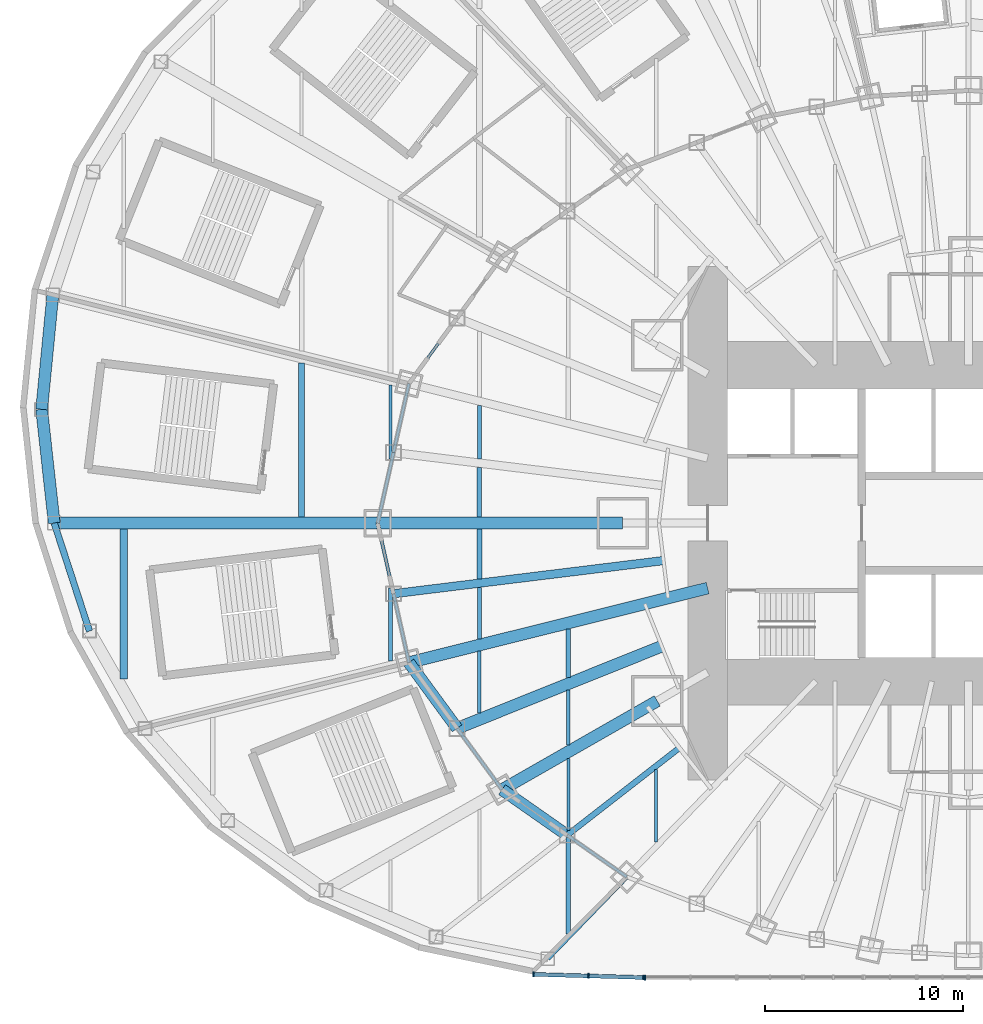
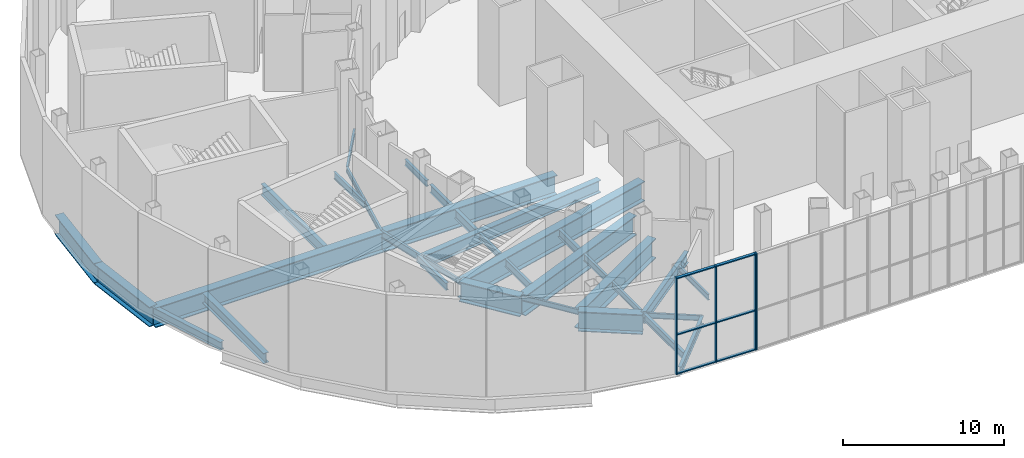
# One storey, part 2 of 73: 34 beams, 10 members, 2 elements without a shape of their own.
"""IFC4 building model written with IfcOpenShell, lengths in metres."""

from ifc_helpers import new_model, si_unit, direction, frame, origin, origin_2d, place, context, subcontext, project, spatial, rectangle, i_section, extrude, material, material_profile, profile_set, type_object, element, aggregate, save


model = new_model("IFC4")

# Units and contexts
model_context = context("Model", 3, precision=1e-05, world=origin(), true_north=direction((0.0, 1.0)))
body_context = subcontext(model_context, "Body", "Model", "MODEL_VIEW")
ifc_project = project(units=[si_unit("LENGTHUNIT", "METRE"), si_unit("AREAUNIT", "SQUARE_METRE"), si_unit("VOLUMEUNIT", "CUBIC_METRE"), si_unit("PLANEANGLEUNIT", "RADIAN"), si_unit("MASSUNIT", "GRAM", prefix="KILO")], contexts=[model_context])

# Site, building, storey
site_placement = place(None, origin())
site = spatial("IfcSite", under=ifc_project, at=site_placement, CompositionType="ELEMENT")
building_placement = place(site_placement, origin())
building = spatial("IfcBuilding", under=site, at=building_placement, Name="Lantaw Convention Tower", CompositionType="ELEMENT")
storey_placement = place(building_placement, frame((0.0, 0.0, 14.5)))
storey = spatial("IfcBuildingStorey", under=building, at=storey_placement, Name="L02", CompositionType="ELEMENT", Elevation=14.5)

# Beams
ifc_material_1 = material(Name="Steel ASTM A572 Grade 50", Category="steel")
ifc_material_profile_1 = material_profile(ifc_material_1, i_section(OverallWidth=0.60009765625, OverallDepth=1.5, WebThickness=0.02490234375, FlangeThickness=0.06005859375, at=origin_2d()), Name="PG1500X600X25X60")
ifc_profile_set_1 = profile_set([ifc_material_profile_1], Name="Steel ASTM A572 Grade 50")
beam_type_1 = type_object("IfcBeamType", Name="Beam E PG1500X600X25X60", PredefinedType="SPANDREL", material=ifc_profile_set_1)
beam_1_placement = place(storey_placement, frame((-28.31787109375, -7.060302734375, -0.949951171875), z_axis=(0.591255937291, -0.806483984105, 0.0), x_axis=(0.806483984105, 0.591255937291, 0.0)))
element("IfcBeam", 1, at=beam_1_placement, inside=storey, type_object=beam_type_1, Name="Edge beam 14", PredefinedType="SPANDREL", context=body_context, shape_type="SweptSolid", body=[
    extrude(i_section(OverallWidth=0.60009765625, OverallDepth=1.5, WebThickness=0.02490234375, FlangeThickness=0.06005859375, at=origin_2d()), origin(), (0.0, 0.0, 1.0), 4.126708984375),
])
beam_2_placement = place(storey_placement, frame((-23.60498046875, -13.488525390625, -0.949951171875), z_axis=(0.819442856133, -0.573160889744, 0.0), x_axis=(0.573160889744, 0.819442856133, 0.0)))
element("IfcBeam", 2, at=beam_2_placement, inside=storey, type_object=beam_type_1, Name="Edge beam 15", PredefinedType="SPANDREL", context=body_context, shape_type="SweptSolid", body=[
    extrude(i_section(OverallWidth=0.60009765625, OverallDepth=1.5, WebThickness=0.02490234375, FlangeThickness=0.06005859375, at=origin_2d()), origin(), (0.0, 0.0, 1.0), 4.022705078125),
])
beam_3_placement = place(storey_placement, frame((-46.342529296875, 11.554443359375, -0.949951171875), z_axis=(-0.097112121047, -0.995273447825, 0.0), x_axis=(0.995273447825, -0.097112121047, 0.0)))
element("IfcBeam", 3, at=beam_3_placement, inside=storey, type_object=beam_type_1, Name="Podium edge beam R11", PredefinedType="SPANDREL", context=body_context, shape_type="SweptSolid", body=[
    extrude(i_section(OverallWidth=0.60009765625, OverallDepth=1.5, WebThickness=0.02490234375, FlangeThickness=0.06005859375, at=origin_2d()), origin(), (0.0, 0.0, 1.0), 5.822509765625),
])
beam_4_placement = place(storey_placement, frame((-46.907958984375, 5.759521484375, -0.949951171875), z_axis=(0.109673093737, -0.993967712006, 0.0), x_axis=(0.993967712006, 0.109673093737, 0.0)))
element("IfcBeam", 4, at=beam_4_placement, inside=storey, type_object=beam_type_1, Name="Podium edge beam B11", PredefinedType="SPANDREL", context=body_context, shape_type="SweptSolid", body=[
    extrude(i_section(OverallWidth=0.60009765625, OverallDepth=1.5, WebThickness=0.02490234375, FlangeThickness=0.06005859375, at=origin_2d()), origin(), (0.0, 0.0, 1.0), 5.79443359375),
])
ifc_material_2 = material(Name="Steel ASTM A992", Category="steel")
ifc_material_profile_2 = material_profile(ifc_material_2, i_section(OverallWidth=0.140380859375, OverallDepth=0.40380859375, WebThickness=0.007080078125, FlangeThickness=0.01123046875, FilletRadius=0.01025390625, at=origin_2d()), Name="W16X31")
ifc_profile_set_2 = profile_set([ifc_material_profile_2], Name="Steel ASTM A992")
beam_type_2 = type_object("IfcBeamType", Name="Beam E W16X31", PredefinedType="SPANDREL", material=ifc_profile_set_2)
beam_5_placement = place(storey_placement, frame((-25.8779296875, 10.388427734375, -0.40185546875), z_axis=(-0.591255937291, -0.806483984105, 0.0), x_axis=(0.806483984105, -0.591255937291, 0.0)))
element("IfcBeam", 5, at=beam_5_placement, inside=storey, type_object=beam_type_2, Name="Edge beam 11", PredefinedType="SPANDREL", context=body_context, shape_type="SweptSolid", body=[
    extrude(i_section(OverallWidth=0.140380859375, OverallDepth=0.40380859375, WebThickness=0.007080078125, FlangeThickness=0.01123046875, FilletRadius=0.01025390625, at=origin_2d()), origin(), (0.0, 0.0, 1.0), 4.126708984375),
])
for number, where, z_axis, x_axis, name in (
    (6, (-28.31787109375, 7.060302734375, -0.40185546875), (-0.218673326171, -0.97579812278, 0.0), (0.97579812278, -0.218673326171, 0.0), "Edge beam 12"),
    (7, (-29.099365234375, -3.572998046875, -0.40185546875), (0.218673326171, -0.97579812278, 0.0), (0.97579812278, 0.218673326171, 0.0), "Edge beam 13"),
):
    element("IfcBeam", number, at=place(storey_placement, frame(where, z_axis=z_axis, x_axis=x_axis)), inside=storey, type_object=beam_type_2, Name=name, PredefinedType="SPANDREL", context=body_context, shape_type="SweptSolid", body=[
        extrude(i_section(OverallWidth=0.140380859375, OverallDepth=0.40380859375, WebThickness=0.007080078125, FlangeThickness=0.01123046875, FilletRadius=0.01025390625, at=origin_2d()), origin(), (0.0, 0.0, 1.0), 3.57373046875),
    ])
beam_6_placement = place(storey_placement, frame((-25.8779296875, -10.388427734375, -0.40185546875), z_axis=(0.591286566758, -0.806461527893, 0.0), x_axis=(0.806461527893, 0.591286566758, 0.0)))
element("IfcBeam", 8, at=beam_6_placement, inside=storey, type_object=beam_type_2, Name="Edge beam 14", PredefinedType="SPANDREL", context=body_context, shape_type="SweptSolid", body=[
    extrude(i_section(OverallWidth=0.140380859375, OverallDepth=0.40380859375, WebThickness=0.007080078125, FlangeThickness=0.01123046875, FilletRadius=0.01025390625, at=origin_2d()), origin(), (0.0, 0.0, 1.0), 3.843994140625),
])
beam_7_placement = place(storey_placement, frame((-20.30859375, -15.794189453125, -0.40185546875), z_axis=(0.819409395821, -0.573208724672, 0.0), x_axis=(0.573208724672, 0.819409395821, 0.0)))
element("IfcBeam", 9, at=beam_7_placement, inside=storey, type_object=beam_type_2, Name="Edge beam 15", PredefinedType="SPANDREL", context=body_context, shape_type="SweptSolid", body=[
    extrude(i_section(OverallWidth=0.140380859375, OverallDepth=0.40380859375, WebThickness=0.007080078125, FlangeThickness=0.01123046875, FilletRadius=0.01025390625, at=origin_2d()), origin(), (0.0, 0.0, 1.0), 3.682861328125),
])
ifc_material_profile_3 = material_profile(ifc_material_2, i_section(OverallWidth=0.15234375, OverallDepth=0.449462890625, WebThickness=0.007568359375, FlangeThickness=0.0107421875, FilletRadius=0.01025390625, at=origin_2d()), Name="W18X35")
ifc_profile_set_3 = profile_set([ifc_material_profile_3], Name="Steel ASTM A992")
beam_type_3 = type_object("IfcBeamType", Name="Beam E W18X35", PredefinedType="SPANDREL", material=ifc_profile_set_3)
beam_8_placement = place(storey_placement, frame((-29.099365234375, 3.572998046875, -0.4248046875), z_axis=(-0.218631550323, -0.975807483679, 0.0), x_axis=(0.975807483679, -0.218631550323, 0.0)))
element("IfcBeam", 10, at=beam_8_placement, inside=storey, type_object=beam_type_3, Name="Edge beam 12", PredefinedType="SPANDREL", context=body_context, shape_type="SweptSolid", body=[
    extrude(i_section(OverallWidth=0.15234375, OverallDepth=0.449462890625, WebThickness=0.007568359375, FlangeThickness=0.0107421875, FilletRadius=0.01025390625, at=origin_2d()), origin(), (0.0, 0.0, 1.0), 3.66162109375),
])
ifc_material_profile_4 = material_profile(ifc_material_2, i_section(OverallWidth=0.165771484375, OverallDepth=0.5283203125, WebThickness=0.009765625, FlangeThickness=0.013671875, FilletRadius=0.012939453125, at=origin_2d()), Name="W21X50")
ifc_profile_set_4 = profile_set([ifc_material_profile_4], Name="Steel ASTM A992")
beam_type_4 = type_object("IfcBeamType", Name="Beam E W21X50", PredefinedType="SPANDREL", material=ifc_profile_set_4)
beam_9_placement = place(storey_placement, frame((-29.89990234375, 0.0, -0.464111328125), z_axis=(0.218631550323, -0.975807483679, 0.0), x_axis=(0.975807483679, 0.218631550323, 0.0)))
element("IfcBeam", 11, at=beam_9_placement, inside=storey, type_object=beam_type_4, Name="Edge beam 13", PredefinedType="SPANDREL", context=body_context, shape_type="SweptSolid", body=[
    extrude(i_section(OverallWidth=0.165771484375, OverallDepth=0.5283203125, WebThickness=0.009765625, FlangeThickness=0.013671875, FilletRadius=0.012939453125, at=origin_2d()), origin(), (0.0, 0.0, 1.0), 3.66162109375),
])
ifc_material_profile_5 = material_profile(ifc_material_2, i_section(OverallWidth=0.3251953125, OverallDepth=0.612060546875, WebThickness=0.0126953125, FlangeThickness=0.01904296875, FilletRadius=0.0126953125, at=origin_2d()), Name="W24X104")
ifc_profile_set_5 = profile_set([ifc_material_profile_5], Name="Steel ASTM A992")
beam_type_5 = type_object("IfcBeamType", Name="Beam E W24X104", PredefinedType="SPANDREL", material=ifc_profile_set_5)
beam_10_placement = place(storey_placement, frame((-46.2724609375, 0.0, -0.506103515625), z_axis=(0.310448009473, -0.950590360468, 0.0), x_axis=(0.950590360468, 0.310448009473, 0.0)))
element("IfcBeam", 12, at=beam_10_placement, inside=storey, type_object=beam_type_5, Name="Podium edge beam R12", PredefinedType="SPANDREL", context=body_context, shape_type="SweptSolid", body=[
    extrude(i_section(OverallWidth=0.3251953125, OverallDepth=0.612060546875, WebThickness=0.0126953125, FlangeThickness=0.01904296875, FilletRadius=0.0126953125, at=origin_2d()), origin(), (0.0, 0.0, 1.0), 5.746337890625),
])
ifc_material_profile_6 = material_profile(ifc_material_1, i_section(OverallWidth=0.60009765625, OverallDepth=1.5, WebThickness=0.02490234375, FlangeThickness=0.06005859375, at=origin_2d()), Name="PG1500X600X25X60")
ifc_profile_set_6 = profile_set([ifc_material_profile_6], Name="Steel ASTM A572 Grade 50")
beam_type_6 = type_object("IfcBeamType", Name="Beam G PG1500X600X25X60", PredefinedType="BEAM", material=ifc_profile_set_6)
beam_11_placement = place(storey_placement, frame((-17.5, 0.0, -0.949951171875), z_axis=(-1.0, 0.0, 0.0), x_axis=(0.0, -1.0, 0.0)))
element("IfcBeam", 13, at=beam_11_placement, inside=storey, type_object=beam_type_6, Name="Floor girder on ray 13", PredefinedType="BEAM", context=body_context, shape_type="SweptSolid", body=[
    extrude(i_section(OverallWidth=0.60009765625, OverallDepth=1.5, WebThickness=0.02490234375, FlangeThickness=0.06005859375, at=origin_2d()), origin(), (0.0, 0.0, 1.0), 12.39990234375),
])
beam_12_placement = place(storey_placement, frame((-13.199951171875, -3.291015625, -0.949951171875), z_axis=(-0.970296233567, -0.241919860957, 0.0), x_axis=(0.241919860957, -0.970296233567, 0.0)))
element("IfcBeam", 14, at=beam_12_placement, inside=storey, type_object=beam_type_6, Name="Floor girder on ray 14", PredefinedType="BEAM", context=body_context, shape_type="SweptSolid", body=[
    extrude(i_section(OverallWidth=0.60009765625, OverallDepth=1.5, WebThickness=0.02490234375, FlangeThickness=0.06005859375, at=origin_2d()), origin(), (0.0, 0.0, 1.0), 15.580810546875),
])
beam_13_placement = place(storey_placement, frame((-15.52001953125, -6.23046875, -0.949951171875), z_axis=(-0.928018900171, -0.372533113864, 0.0), x_axis=(0.372533113864, -0.928018900171, 0.0)))
element("IfcBeam", 15, at=beam_13_placement, inside=storey, type_object=beam_type_6, Name="Floor girder on bisector 14", PredefinedType="BEAM", context=body_context, shape_type="SweptSolid", body=[
    extrude(i_section(OverallWidth=0.60009765625, OverallDepth=1.5, WebThickness=0.02490234375, FlangeThickness=0.06005859375, at=origin_2d()), origin(), (0.0, 0.0, 1.0), 11.161376953125),
])
beam_14_placement = place(storey_placement, frame((-15.75, -9.0, -0.949951171875), z_axis=(-0.868244802791, -0.496136032179, 0.0), x_axis=(0.496136032179, -0.868244802791, 0.0)))
element("IfcBeam", 16, at=beam_14_placement, inside=storey, type_object=beam_type_6, Name="Floor girder on ray 15", PredefinedType="BEAM", context=body_context, shape_type="SweptSolid", body=[
    extrude(i_section(OverallWidth=0.60009765625, OverallDepth=1.5, WebThickness=0.02490234375, FlangeThickness=0.06005859375, at=origin_2d()), origin(), (0.0, 0.0, 1.0), 9.046875),
])
ifc_material_profile_7 = material_profile(ifc_material_2, i_section(OverallWidth=0.2919921875, OverallDepth=0.845703125, WebThickness=0.015380859375, FlangeThickness=0.0244140625, FilletRadius=0.01513671875, at=origin_2d()), Name="W33X141")
ifc_profile_set_7 = profile_set([ifc_material_profile_7], Name="Steel ASTM A992")
beam_type_7 = type_object("IfcBeamType", Name="Beam G W33X141", PredefinedType="BEAM", material=ifc_profile_set_7)
beam_15_placement = place(storey_placement, frame((-14.628173828125, -11.37646484375, -0.622802734375), z_axis=(-0.789377792374, -0.613907729961, 0.0), x_axis=(0.613907729961, -0.789377792374, 0.0)))
element("IfcBeam", 17, at=beam_15_placement, inside=storey, type_object=beam_type_7, Name="Floor girder on bisector 15", PredefinedType="BEAM", context=body_context, shape_type="SweptSolid", body=[
    extrude(i_section(OverallWidth=0.2919921875, OverallDepth=0.845703125, WebThickness=0.015380859375, FlangeThickness=0.0244140625, FilletRadius=0.01513671875, at=origin_2d()), origin(), (0.0, 0.0, 1.0), 7.196044921875),
])
ifc_material_profile_8 = material_profile(ifc_material_2, i_section(OverallWidth=0.424072265625, OverallDepth=0.947509765625, WebThickness=0.02392578125, FlangeThickness=0.042724609375, FilletRadius=0.012451171875, at=origin_2d()), Name="W36X302")
ifc_profile_set_8 = profile_set([ifc_material_profile_8], Name="Steel ASTM A992")
beam_type_8 = type_object("IfcBeamType", Name="Beam G W36X302", PredefinedType="BEAM", material=ifc_profile_set_8)
beam_16_placement = place(storey_placement, frame((-15.433349609375, -1.89501953125, -0.673828125), z_axis=(-0.99254612715, -0.121869542874, 0.0), x_axis=(0.121869542874, -0.99254612715, 0.0)))
element("IfcBeam", 18, at=beam_16_placement, inside=storey, type_object=beam_type_8, Name="Floor girder on bisector 13", PredefinedType="BEAM", context=body_context, shape_type="SweptSolid", body=[
    extrude(i_section(OverallWidth=0.424072265625, OverallDepth=0.947509765625, WebThickness=0.02392578125, FlangeThickness=0.042724609375, FilletRadius=0.012451171875, at=origin_2d()), origin(), (0.0, 0.0, 1.0), 13.7685546875),
])
ifc_material_profile_9 = material_profile(ifc_material_2, i_section(OverallWidth=0.15234375, OverallDepth=0.449462890625, WebThickness=0.007568359375, FlangeThickness=0.0107421875, FilletRadius=0.01025390625, at=origin_2d()), Name="W18X35")
ifc_profile_set_9 = profile_set([ifc_material_profile_9], Name="Steel ASTM A992")
beam_type_9 = type_object("IfcBeamType", Name="Beam J W18X35", PredefinedType="JOIST", material=ifc_profile_set_9)
beam_17_placement = place(storey_placement, frame((-20.25, -15.5634765625, -0.4248046875), z_axis=(0.0, 1.0, 0.0), x_axis=(-1.0, 0.0, 0.0)))
element("IfcBeam", 19, at=beam_17_placement, inside=storey, type_object=beam_type_9, Name="Floor joist", PredefinedType="JOIST", context=body_context, shape_type="SweptSolid", body=[
    extrude(i_section(OverallWidth=0.15234375, OverallDepth=0.449462890625, WebThickness=0.007568359375, FlangeThickness=0.0107421875, FilletRadius=0.01025390625, at=origin_2d()), origin(), (0.0, 0.0, 1.0), 3.646484375),
])
beam_18_placement = place(storey_placement, frame((-15.800048828125, -16.151123046875, -0.4248046875), z_axis=(0.0, 1.0, 0.0), x_axis=(-1.0, 0.0, 0.0)))
element("IfcBeam", 20, at=beam_18_placement, inside=storey, type_object=beam_type_9, Name="Floor joist", PredefinedType="JOIST", context=body_context, shape_type="SweptSolid", body=[
    extrude(i_section(OverallWidth=0.15234375, OverallDepth=0.449462890625, WebThickness=0.007568359375, FlangeThickness=0.0107421875, FilletRadius=0.01025390625, at=origin_2d()), origin(), (0.0, 0.0, 1.0), 3.67822265625),
])
ifc_material_profile_10 = material_profile(ifc_material_2, i_section(OverallWidth=0.1904296875, OverallDepth=0.457275390625, WebThickness=0.009033203125, FlangeThickness=0.014404296875, FilletRadius=0.01025390625, at=origin_2d()), Name="W18X50")
ifc_profile_set_10 = profile_set([ifc_material_profile_10], Name="Steel ASTM A992")
beam_type_10 = type_object("IfcBeamType", Name="Beam J W18X50", PredefinedType="JOIST", material=ifc_profile_set_10)
beam_19_placement = place(storey_placement, frame((-24.75, -5.861572265625, -0.4287109375), z_axis=(0.0, 1.0, 0.0), x_axis=(-1.0, 0.0, 0.0)))
element("IfcBeam", 21, at=beam_19_placement, inside=storey, type_object=beam_type_10, Name="Floor joist", PredefinedType="JOIST", context=body_context, shape_type="SweptSolid", body=[
    extrude(i_section(OverallWidth=0.1904296875, OverallDepth=0.457275390625, WebThickness=0.009033203125, FlangeThickness=0.014404296875, FilletRadius=0.01025390625, at=origin_2d()), origin(), (0.0, 0.0, 1.0), 2.60888671875),
])
beam_20_placement = place(storey_placement, frame((-24.75, 3.251220703125, -0.4287109375), z_axis=(0.0, 1.0, 0.0), x_axis=(-1.0, 0.0, 0.0)))
element("IfcBeam", 22, at=beam_20_placement, inside=storey, type_object=beam_type_10, Name="Floor joist", PredefinedType="JOIST", context=body_context, shape_type="SweptSolid", body=[
    extrude(i_section(OverallWidth=0.1904296875, OverallDepth=0.457275390625, WebThickness=0.009033203125, FlangeThickness=0.014404296875, FilletRadius=0.01025390625, at=origin_2d()), origin(), (0.0, 0.0, 1.0), 2.71142578125),
])
ifc_material_profile_11 = material_profile(ifc_material_2, i_section(OverallWidth=0.1650390625, OverallDepth=0.52587890625, WebThickness=0.0087890625, FlangeThickness=0.011474609375, FilletRadius=0.0126953125, at=origin_2d()), Name="W21X44")
ifc_profile_set_11 = profile_set([ifc_material_profile_11], Name="Steel ASTM A992")
beam_type_11 = type_object("IfcBeamType", Name="Beam J W21X44", PredefinedType="JOIST", material=ifc_profile_set_11)
beam_21_placement = place(storey_placement, frame((-29.25, 3.2490234375, -0.462890625), z_axis=(0.0, 1.0, 0.0), x_axis=(-1.0, 0.0, 0.0)))
element("IfcBeam", 23, at=beam_21_placement, inside=storey, type_object=beam_type_11, Name="Floor joist", PredefinedType="JOIST", context=body_context, shape_type="SweptSolid", body=[
    extrude(i_section(OverallWidth=0.1650390625, OverallDepth=0.52587890625, WebThickness=0.0087890625, FlangeThickness=0.011474609375, FilletRadius=0.0126953125, at=origin_2d()), origin(), (0.0, 0.0, 1.0), 3.734619140625),
])
beam_22_placement = place(storey_placement, frame((-20.25, -11.225830078125, -0.462890625), z_axis=(0.0, 1.0, 0.0), x_axis=(-1.0, 0.0, 0.0)))
element("IfcBeam", 24, at=beam_22_placement, inside=storey, type_object=beam_type_11, Name="Floor joist", PredefinedType="JOIST", context=body_context, shape_type="SweptSolid", body=[
    extrude(i_section(OverallWidth=0.1650390625, OverallDepth=0.52587890625, WebThickness=0.0087890625, FlangeThickness=0.011474609375, FilletRadius=0.0126953125, at=origin_2d()), origin(), (0.0, 0.0, 1.0), 2.7734375),
])
ifc_material_profile_12 = material_profile(ifc_material_2, i_section(OverallWidth=0.209228515625, OverallDepth=0.533447265625, WebThickness=0.01025390625, FlangeThickness=0.015625, FilletRadius=0.012939453125, at=origin_2d()), Name="W21X62")
ifc_profile_set_12 = profile_set([ifc_material_profile_12], Name="Steel ASTM A992")
beam_type_12 = type_object("IfcBeamType", Name="Beam J W21X62", PredefinedType="JOIST", material=ifc_profile_set_12)
beam_23_placement = place(storey_placement, frame((-29.25, -6.983642578125, -0.466796875), z_axis=(0.0, 1.0, 0.0), x_axis=(-1.0, 0.0, 0.0)))
element("IfcBeam", 25, at=beam_23_placement, inside=storey, type_object=beam_type_12, Name="Floor joist", PredefinedType="JOIST", context=body_context, shape_type="SweptSolid", body=[
    extrude(i_section(OverallWidth=0.209228515625, OverallDepth=0.533447265625, WebThickness=0.01025390625, FlangeThickness=0.015625, FilletRadius=0.012939453125, at=origin_2d()), origin(), (0.0, 0.0, 1.0), 3.703857421875),
])
ifc_material_profile_13 = material_profile(ifc_material_2, i_section(OverallWidth=0.2099609375, OverallDepth=0.535888671875, WebThickness=0.010986328125, FlangeThickness=0.017333984375, FilletRadius=0.012939453125, at=origin_2d()), Name="W21X68")
ifc_profile_set_13 = profile_set([ifc_material_profile_13], Name="Steel ASTM A992")
beam_type_13 = type_object("IfcBeamType", Name="Beam J W21X68", PredefinedType="JOIST", material=ifc_profile_set_13)
beam_24_placement = place(storey_placement, frame((-20.25, -20.805419921875, -0.468017578125), z_axis=(0.0, 1.0, 0.0), x_axis=(-1.0, 0.0, 0.0)))
element("IfcBeam", 26, at=beam_24_placement, inside=storey, type_object=beam_type_13, Name="Floor joist", PredefinedType="JOIST", context=body_context, shape_type="SweptSolid", body=[
    extrude(i_section(OverallWidth=0.2099609375, OverallDepth=0.535888671875, WebThickness=0.010986328125, FlangeThickness=0.017333984375, FilletRadius=0.012939453125, at=origin_2d()), origin(), (0.0, 0.0, 1.0), 4.884521484375),
])
ifc_material_profile_14 = material_profile(ifc_material_2, i_section(OverallWidth=0.177978515625, OverallDepth=0.599365234375, WebThickness=0.010009765625, FlangeThickness=0.012939453125, FilletRadius=0.012939453125, at=origin_2d()), Name="W24X55")
ifc_profile_set_14 = profile_set([ifc_material_profile_14], Name="Steel ASTM A992")
beam_type_14 = type_object("IfcBeamType", Name="Beam J W24X55", PredefinedType="JOIST", material=ifc_profile_set_14)
beam_25_placement = place(storey_placement, frame((-24.75, -9.6123046875, -0.499755859375), z_axis=(0.0, 1.0, 0.0), x_axis=(-1.0, 0.0, 0.0)))
element("IfcBeam", 27, at=beam_25_placement, inside=storey, type_object=beam_type_14, Name="Floor joist", PredefinedType="JOIST", context=body_context, shape_type="SweptSolid", body=[
    extrude(i_section(OverallWidth=0.177978515625, OverallDepth=0.599365234375, WebThickness=0.010009765625, FlangeThickness=0.012939453125, FilletRadius=0.012939453125, at=origin_2d()), origin(), (0.0, 0.0, 1.0), 3.13232421875),
])
ifc_material_profile_15 = material_profile(ifc_material_2, i_section(OverallWidth=0.227783203125, OverallDepth=0.60205078125, WebThickness=0.010498046875, FlangeThickness=0.014892578125, FilletRadius=0.012939453125, at=origin_2d()), Name="W24X68")
ifc_profile_set_15 = profile_set([ifc_material_profile_15], Name="Steel ASTM A992")
beam_type_15 = type_object("IfcBeamType", Name="Beam J W24X68", PredefinedType="JOIST", material=ifc_profile_set_15)
beam_26_placement = place(storey_placement, frame((-20.25, -7.805908203125, -0.5009765625), z_axis=(0.0, 1.0, 0.0), x_axis=(-1.0, 0.0, 0.0)))
element("IfcBeam", 28, at=beam_26_placement, inside=storey, type_object=beam_type_15, Name="Floor joist", PredefinedType="JOIST", context=body_context, shape_type="SweptSolid", body=[
    extrude(i_section(OverallWidth=0.227783203125, OverallDepth=0.60205078125, WebThickness=0.010498046875, FlangeThickness=0.014892578125, FilletRadius=0.012939453125, at=origin_2d()), origin(), (0.0, 0.0, 1.0), 2.44775390625),
])
ifc_material_profile_16 = material_profile(ifc_material_2, i_section(OverallWidth=0.22900390625, OverallDepth=0.612060546875, WebThickness=0.011962890625, FlangeThickness=0.01953125, FilletRadius=0.0126953125, at=origin_2d()), Name="W24X84")
ifc_profile_set_16 = profile_set([ifc_material_profile_16], Name="Steel ASTM A992")
beam_type_16 = type_object("IfcBeamType", Name="Beam J W24X84", PredefinedType="JOIST", material=ifc_profile_set_16)
beam_27_placement = place(storey_placement, frame((-24.75, 0.300048828125, -0.506103515625), z_axis=(0.0, 1.0, 0.0), x_axis=(-1.0, 0.0, 0.0)))
element("IfcBeam", 29, at=beam_27_placement, inside=storey, type_object=beam_type_16, Name="Floor joist", PredefinedType="JOIST", context=body_context, shape_type="SweptSolid", body=[
    extrude(i_section(OverallWidth=0.22900390625, OverallDepth=0.612060546875, WebThickness=0.011962890625, FlangeThickness=0.01953125, FilletRadius=0.0126953125, at=origin_2d()), origin(), (0.0, 0.0, 1.0), 2.5263671875),
])
ifc_material_profile_17 = material_profile(ifc_material_2, i_section(OverallWidth=0.25390625, OverallDepth=0.683349609375, WebThickness=0.012451171875, FlangeThickness=0.01904296875, FilletRadius=0.01513671875, at=origin_2d()), Name="W27X94")
ifc_profile_set_17 = profile_set([ifc_material_profile_17], Name="Steel ASTM A992")
beam_type_17 = type_object("IfcBeamType", Name="Beam J W27X94", PredefinedType="JOIST", material=ifc_profile_set_17)
beam_28_placement = place(storey_placement, frame((-24.75, -2.8251953125, -0.541748046875), z_axis=(0.0, 1.0, 0.0), x_axis=(-1.0, 0.0, 0.0)))
element("IfcBeam", 30, at=beam_28_placement, inside=storey, type_object=beam_type_17, Name="Floor joist", PredefinedType="JOIST", context=body_context, shape_type="SweptSolid", body=[
    extrude(i_section(OverallWidth=0.25390625, OverallDepth=0.683349609375, WebThickness=0.012451171875, FlangeThickness=0.01904296875, FilletRadius=0.01513671875, at=origin_2d()), origin(), (0.0, 0.0, 1.0), 2.525146484375),
])
ifc_material_profile_18 = material_profile(ifc_material_2, i_section(OverallWidth=0.381103515625, OverallDepth=0.772216796875, WebThickness=0.0166015625, FlangeThickness=0.027099609375, FilletRadius=0.0146484375, at=origin_2d()), Name="W30X173")
ifc_profile_set_18 = profile_set([ifc_material_profile_18], Name="Steel ASTM A992")
beam_type_18 = type_object("IfcBeamType", Name="Beam J W30X173", PredefinedType="JOIST", material=ifc_profile_set_18)
beam_29_placement = place(storey_placement, frame((-42.75, -7.89990234375, -0.586181640625), z_axis=(0.0, 1.0, 0.0), x_axis=(-1.0, 0.0, 0.0)))
element("IfcBeam", 31, at=beam_29_placement, inside=storey, type_object=beam_type_18, Name="Floor joist", PredefinedType="JOIST", context=body_context, shape_type="SweptSolid", body=[
    extrude(i_section(OverallWidth=0.381103515625, OverallDepth=0.772216796875, WebThickness=0.0166015625, FlangeThickness=0.027099609375, FilletRadius=0.0146484375, at=origin_2d()), origin(), (0.0, 0.0, 1.0), 7.599853515625),
])
ifc_material_profile_19 = material_profile(ifc_material_2, i_section(OverallWidth=0.2919921875, OverallDepth=0.845703125, WebThickness=0.015380859375, FlangeThickness=0.0244140625, FilletRadius=0.01513671875, at=origin_2d()), Name="W33X141")
ifc_profile_set_19 = profile_set([ifc_material_profile_19], Name="Steel ASTM A992")
beam_type_19 = type_object("IfcBeamType", Name="Beam J W33X141", PredefinedType="JOIST", material=ifc_profile_set_19)
beam_30_placement = place(storey_placement, frame((-33.75, 0.300048828125, -0.622802734375), z_axis=(0.0, 1.0, 0.0), x_axis=(-1.0, 0.0, 0.0)))
element("IfcBeam", 32, at=beam_30_placement, inside=storey, type_object=beam_type_19, Name="Floor joist", PredefinedType="JOIST", context=body_context, shape_type="SweptSolid", body=[
    extrude(i_section(OverallWidth=0.2919921875, OverallDepth=0.845703125, WebThickness=0.015380859375, FlangeThickness=0.0244140625, FilletRadius=0.01513671875, at=origin_2d()), origin(), (0.0, 0.0, 1.0), 7.8056640625),
])
ifc_material_profile_20 = material_profile(ifc_material_1, i_section(OverallWidth=0.60009765625, OverallDepth=1.5, WebThickness=0.02490234375, FlangeThickness=0.06005859375, at=origin_2d()), Name="PG1500X600X25X60")
ifc_profile_set_20 = profile_set([ifc_material_profile_20], Name="Steel ASTM A572 Grade 50")
beam_type_20 = type_object("IfcBeamType", Name="Beam PG PG1500X600X25X60", PredefinedType="BEAM", material=ifc_profile_set_20)
beam_31_placement = place(storey_placement, frame((-29.89990234375, 0.0, -0.949951171875), z_axis=(-1.0, 0.0, 0.0), x_axis=(0.0, -1.0, 0.0)))
element("IfcBeam", 33, at=beam_31_placement, inside=storey, type_object=beam_type_20, Name="Podium girder PR13", PredefinedType="BEAM", context=body_context, shape_type="SweptSolid", body=[
    extrude(i_section(OverallWidth=0.60009765625, OverallDepth=1.5, WebThickness=0.02490234375, FlangeThickness=0.06005859375, at=origin_2d()), origin(), (0.0, 0.0, 1.0), 16.37255859375),
])
ifc_material_profile_21 = material_profile(ifc_material_2, i_section(OverallWidth=0.227783203125, OverallDepth=0.60205078125, WebThickness=0.010498046875, FlangeThickness=0.014892578125, FilletRadius=0.012939453125, at=origin_2d()), Name="W24X68")
ifc_profile_set_21 = profile_set([ifc_material_profile_21], Name="Steel ASTM A992")
beam_type_21 = type_object("IfcBeamType", Name="Beam PG W24X68", PredefinedType="BEAM", material=ifc_profile_set_21)
beam_32_placement = place(storey_placement, frame((-17.290771484375, -17.9052734375, -0.5009765625), z_axis=(-0.694661096328, -0.719337167987, 0.0), x_axis=(0.719337167987, -0.694661096328, 0.0)))
element("IfcBeam", 34, at=beam_32_placement, inside=storey, type_object=beam_type_21, Name="Podium girder PR16", PredefinedType="BEAM", context=body_context, shape_type="SweptSolid", body=[
    extrude(i_section(OverallWidth=0.227783203125, OverallDepth=0.60205078125, WebThickness=0.010498046875, FlangeThickness=0.014892578125, FilletRadius=0.012939453125, at=origin_2d()), origin(), (0.0, 0.0, 1.0), 5.75830078125),
])

# Curtain wall, members
ifc_material_3 = material(Name="Aluminium framed curtain wall", Category="aluminium")
curtain_wall_type = type_object("IfcCurtainWallType", Name="Podium storefront curtain wall, pale aluminium", PredefinedType="USERDEFINED", material=ifc_material_3)
curtain_wall_1_placement = place(storey_placement, origin())
curtain_wall_1 = element("IfcCurtainWall", 35, at=curtain_wall_1_placement, inside=storey, type_object=curtain_wall_type, Name="Podium storefront curtain wall, pale aluminium L02", ObjectType="STOREFRONT", PredefinedType="USERDEFINED")
ifc_material_4 = material(Name="Aluminium 6063-T6", Category="aluminium")
ifc_material_profile_22 = material_profile(ifc_material_4, rectangle(XDim=0.25, YDim=0.080078125, at=origin_2d()), Name="CW-P mullion 80x250")
ifc_profile_set_22 = profile_set([ifc_material_profile_22], Name="Aluminium 6063-T6")
member_type_1 = type_object("IfcMemberType", Name="CW-P mullion 80x250", PredefinedType="MULLION", material=ifc_profile_set_22)
member_1_placement = place(storey_placement, frame((-22.01513671875, -22.83984375, 0.0), z_axis=(0.0, 0.0, 1.0), x_axis=(0.028552206976, 0.99959230263, 0.0)))
member_1 = element("IfcMember", 36, at=member_1_placement, type_object=member_type_1, Name="CW-P mullion 1", PredefinedType="MULLION", context=body_context, shape_type="SweptSolid", body=[
    extrude(rectangle(XDim=0.25, YDim=0.080078125, at=origin_2d()), origin(), (0.0, 0.0, 1.0), 7.300048828125),
])
member_2_placement = place(storey_placement, frame((-19.23046875, -22.91943359375, 0.0), z_axis=(0.0, 0.0, 1.0), x_axis=(0.028552206976, 0.99959230263, 0.0)))
member_2 = element("IfcMember", 37, at=member_2_placement, type_object=member_type_1, Name="CW-P mullion 2", PredefinedType="MULLION", context=body_context, shape_type="SweptSolid", body=[
    extrude(rectangle(XDim=0.25, YDim=0.080078125, at=origin_2d()), origin(), (0.0, 0.0, 1.0), 7.300048828125),
])
member_3_placement = place(storey_placement, frame((-16.44580078125, -22.998779296875, 0.0), z_axis=(0.0, 0.0, 1.0), x_axis=(0.028552206976, 0.99959230263, 0.0)))
member_3 = element("IfcMember", 38, at=member_3_placement, type_object=member_type_1, Name="CW-P mullion 3", PredefinedType="MULLION", context=body_context, shape_type="SweptSolid", body=[
    extrude(rectangle(XDim=0.25, YDim=0.080078125, at=origin_2d()), origin(), (0.0, 0.0, 1.0), 7.300048828125),
])

# Curtain wall, member
curtain_wall_2_placement = place(storey_placement, origin())
curtain_wall_2 = element("IfcCurtainWall", 39, at=curtain_wall_2_placement, inside=storey, type_object=curtain_wall_type, Name="Podium storefront curtain wall, pale aluminium L02", ObjectType="STOREFRONT", PredefinedType="USERDEFINED")
member_4_placement = place(storey_placement, frame((-16.36572265625, -23.0, 0.0), z_axis=(0.0, 0.0, 1.0), x_axis=(0.0, 1.0, 0.0)))
member_4 = element("IfcMember", 40, at=member_4_placement, type_object=member_type_1, Name="CW-P mullion 1", PredefinedType="MULLION", context=body_context, shape_type="SweptSolid", body=[
    extrude(rectangle(XDim=0.25, YDim=0.080078125, at=origin_2d()), origin(), (0.0, 0.0, 1.0), 7.300048828125),
])
aggregate(curtain_wall_2, [member_4])

# Member
ifc_material_profile_23 = material_profile(ifc_material_4, rectangle(XDim=0.199951171875, YDim=0.080078125, at=origin_2d()), Name="CW-P transom 80x200")
ifc_profile_set_23 = profile_set([ifc_material_profile_23], Name="Aluminium 6063-T6")
member_type_2 = type_object("IfcMemberType", Name="CW-P transom 80x200", PredefinedType="USERDEFINED", material=ifc_profile_set_23)
member_5_placement = place(storey_placement, frame((-21.97509765625, -22.8408203125, 0.0400390625), z_axis=(0.999590908137, -0.028600985457, 0.0), x_axis=(0.028600985457, 0.999590908137, 0.0)))
member_5 = element("IfcMember", 41, at=member_5_placement, type_object=member_type_2, Name="CW-P transom 1.1", ObjectType="TRANSOM", PredefinedType="USERDEFINED", context=body_context, shape_type="SweptSolid", body=[
    extrude(rectangle(XDim=0.199951171875, YDim=0.080078125, at=origin_2d()), origin(), (0.0, 0.0, 1.0), 2.7060546875),
])

member_6_placement = place(storey_placement, frame((-21.97509765625, -22.8408203125, 3.0), z_axis=(0.999590908137, -0.028600985457, 0.0), x_axis=(0.028600985457, 0.999590908137, 0.0)))
member_6 = element("IfcMember", 42, at=member_6_placement, type_object=member_type_2, Name="CW-P transom 1.2", ObjectType="TRANSOM", PredefinedType="USERDEFINED", context=body_context, shape_type="SweptSolid", body=[
    extrude(rectangle(XDim=0.199951171875, YDim=0.080078125, at=origin_2d()), origin(), (0.0, 0.0, 1.0), 2.7060546875),
])

member_7_placement = place(storey_placement, frame((-21.97509765625, -22.8408203125, 7.260009765625), z_axis=(0.999590908137, -0.028600985457, 0.0), x_axis=(0.028600985457, 0.999590908137, 0.0)))
member_7 = element("IfcMember", 43, at=member_7_placement, type_object=member_type_2, Name="CW-P transom 1.3", ObjectType="TRANSOM", PredefinedType="USERDEFINED", context=body_context, shape_type="SweptSolid", body=[
    extrude(rectangle(XDim=0.199951171875, YDim=0.080078125, at=origin_2d()), origin(), (0.0, 0.0, 1.0), 2.7060546875),
])

member_8_placement = place(storey_placement, frame((-19.1904296875, -22.92041015625, 0.0400390625), z_axis=(0.999590908137, -0.028600985457, 0.0), x_axis=(0.028600985457, 0.999590908137, 0.0)))
member_8 = element("IfcMember", 44, at=member_8_placement, type_object=member_type_2, Name="CW-P transom 2.1", ObjectType="TRANSOM", PredefinedType="USERDEFINED", context=body_context, shape_type="SweptSolid", body=[
    extrude(rectangle(XDim=0.199951171875, YDim=0.080078125, at=origin_2d()), origin(), (0.0, 0.0, 1.0), 2.7060546875),
])

member_9_placement = place(storey_placement, frame((-19.1904296875, -22.92041015625, 3.0), z_axis=(0.999590908137, -0.028600985457, 0.0), x_axis=(0.028600985457, 0.999590908137, 0.0)))
member_9 = element("IfcMember", 45, at=member_9_placement, type_object=member_type_2, Name="CW-P transom 2.2", ObjectType="TRANSOM", PredefinedType="USERDEFINED", context=body_context, shape_type="SweptSolid", body=[
    extrude(rectangle(XDim=0.199951171875, YDim=0.080078125, at=origin_2d()), origin(), (0.0, 0.0, 1.0), 2.7060546875),
])

member_10_placement = place(storey_placement, frame((-19.1904296875, -22.92041015625, 7.260009765625), z_axis=(0.999590908137, -0.028600985457, 0.0), x_axis=(0.028600985457, 0.999590908137, 0.0)))
member_10 = element("IfcMember", 46, at=member_10_placement, type_object=member_type_2, Name="CW-P transom 2.3", ObjectType="TRANSOM", PredefinedType="USERDEFINED", context=body_context, shape_type="SweptSolid", body=[
    extrude(rectangle(XDim=0.199951171875, YDim=0.080078125, at=origin_2d()), origin(), (0.0, 0.0, 1.0), 2.7060546875),
])

aggregate(curtain_wall_1, [member_1, member_2, member_3, member_5, member_6, member_7, member_8, member_9, member_10])

save(model, "model.ifc")
